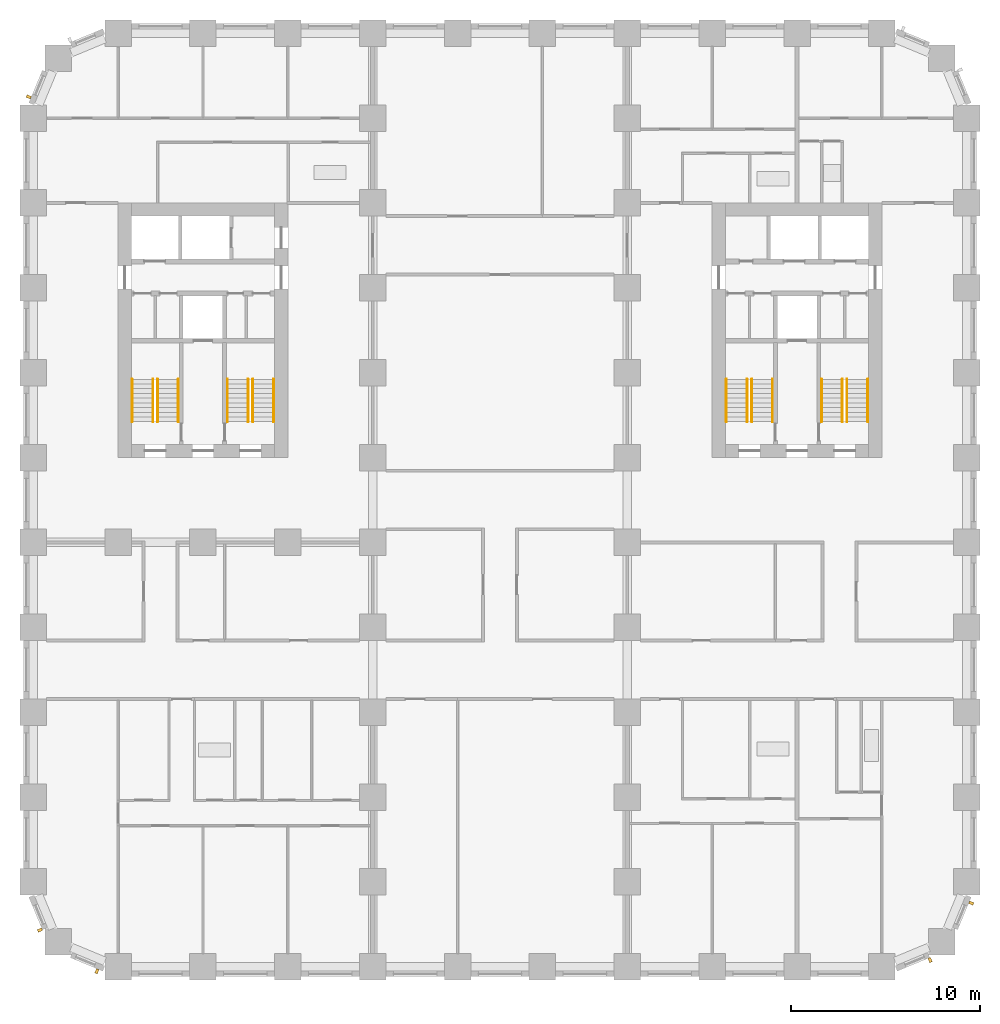
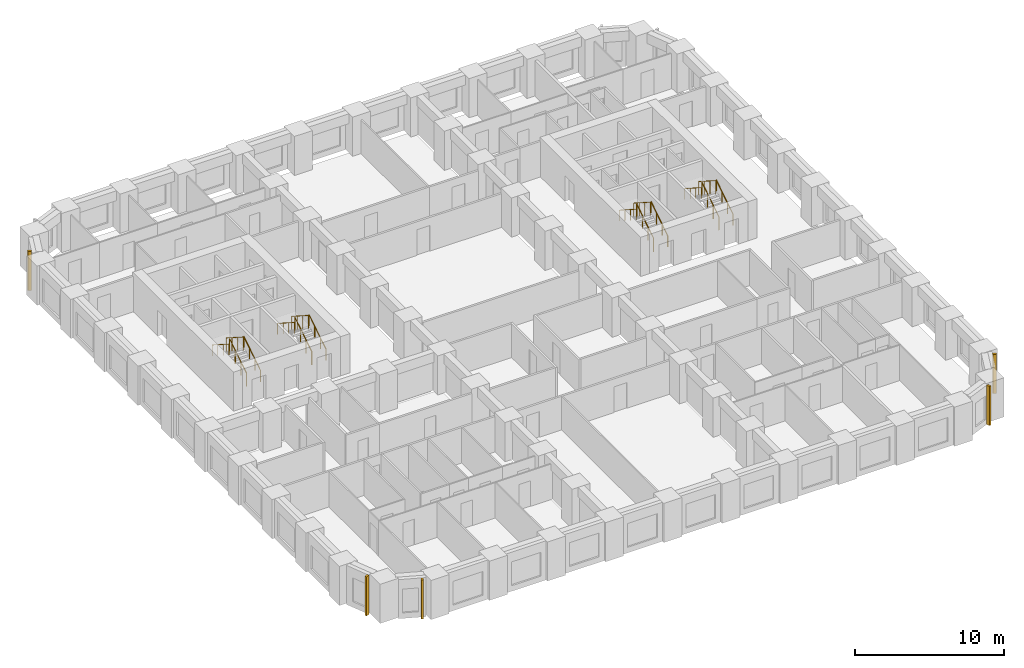
# One storey, part 10 of 12: 16 railings, 5 shading devices.
"""IFC4 building model written with IfcOpenShell, lengths in metres."""

from ifc_helpers import new_model, si_unit, direction, frame, origin, origin_2d, place, context, subcontext, project, spatial, rectangle, circle, extrude, material, type_object, element, save


model = new_model("IFC4")

# Units and contexts
model_context = context("Model", 3, precision=1e-05, world=origin(), true_north=direction((0.0, 1.0)))
body_context = subcontext(model_context, "Body", "Model", "MODEL_VIEW")
ifc_project = project(units=[si_unit("LENGTHUNIT", "METRE"), si_unit("AREAUNIT", "SQUARE_METRE"), si_unit("VOLUMEUNIT", "CUBIC_METRE"), si_unit("PLANEANGLEUNIT", "RADIAN"), si_unit("MASSUNIT", "GRAM", prefix="KILO")], contexts=[model_context])

# Site, building, storey
site_placement = place(None, origin())
site = spatial("IfcSite", under=ifc_project, at=site_placement, CompositionType="ELEMENT")
building_placement = place(site_placement, origin())
building = spatial("IfcBuilding", under=site, at=building_placement, Name="Girih Gate Residences", CompositionType="ELEMENT")
storey_placement = place(building_placement, frame((0.0, 0.0, 59.199951171875)))
storey = spatial("IfcBuildingStorey", under=building, at=storey_placement, Name="L15", CompositionType="ELEMENT", Elevation=59.199951171875)

# Shading devices
ifc_material_1 = material(Name="Precast concrete C50/60", Category="concrete")
shading_device_type = type_object("IfcShadingDeviceType", Name="Corner rib 150x250", PredefinedType="USERDEFINED", material=ifc_material_1)
for number, where, z_axis, x_axis, name in (
    (1, (0.35498046875, 1.9443359375, 0.0), (0.0, 0.0, 1.0), (0.382683432365, -0.923879532511, 0.0), "Corner rib SW0000_0045.0"),
    (2, (3.376220703125, -0.238037109375, 0.0), (0.0, 0.0, 1.0), (0.923879532511, -0.382683432365, 0.0), "Corner rib SW0013_0013.0"),
    (3, (47.5556640625, 0.35498046875, 0.0), (0.0, 0.0, 1.0), (0.923879532511, 0.382683432365, 0.0), "Corner rib SE0450_0000.0"),
    (4, (49.738037109375, 3.376220703125, 0.0), (0.0, 0.0, 1.0), (0.382683432365, 0.923879532511, 0.0), "Corner rib SE0482_0013.0"),
    (5, (-0.238037109375, 46.123779296875, 0.0), (0.0, 0.0, 1.0), (-0.382683432365, -0.923879532511, 0.0), "Corner rib NW0013_0482.0"),
):
    element("IfcShadingDevice", number, at=place(storey_placement, frame(where, z_axis=z_axis, x_axis=x_axis)), inside=storey, type_object=shading_device_type, Name=name, ObjectType="FIN", PredefinedType="USERDEFINED", context=body_context, shape_type="SweptSolid", body=[
        extrude(rectangle(XDim=0.14990234375, YDim=0.25, at=origin_2d()), origin(), (0.0, 0.0, 1.0), 3.199951171875),
    ])

# Railings
ifc_material_2 = material(Name="Stainless steel", Category="steel")
railing_type_1 = type_object("IfcRailingType", Name="Stair guard 1100", PredefinedType="GUARDRAIL", material=ifc_material_2)
railing_1_placement = place(storey_placement, frame((6.60009765625, 28.89990234375, 0.16015625)))
element("IfcRailing", 6, at=railing_1_placement, inside=storey, type_object=railing_type_1, Name="L15 ST-W1 stair guard 1", PredefinedType="GUARDRAIL", context=body_context, shape_type="SweptSolid", body=[
    extrude(circle(Radius=0.02392578125, at=origin_2d()), frame((0.0, 0.0, 1.076171875), z_axis=(0.0, 0.842281359387, 0.539038135598), x_axis=(-1.0, 0.0, 0.0)), (0.0, 0.0, 1.0), 2.67138671875),
    extrude(circle(Radius=0.02099609375, at=origin_2d()), origin(), (0.0, 0.0, 1.0), 1.052001953125),
    extrude(circle(Radius=0.02099609375, at=origin_2d()), frame((0.0, 0.75, 0.47998046875)), (0.0, 0.0, 1.0), 1.052001953125),
    extrude(circle(Radius=0.02099609375, at=origin_2d()), frame((0.0, 1.5, 0.9599609375)), (0.0, 0.0, 1.0), 1.052001953125),
    extrude(circle(Radius=0.02099609375, at=origin_2d()), frame((0.0, 2.25, 1.43994140625)), (0.0, 0.0, 1.0), 1.052001953125),
])
railing_2_placement = place(storey_placement, frame((6.35009765625, 31.14990234375, 1.760009765625)))
element("IfcRailing", 7, at=railing_2_placement, inside=storey, type_object=railing_type_1, Name="L15 ST-W1 stair guard 2", PredefinedType="GUARDRAIL", context=body_context, shape_type="SweptSolid", body=[
    extrude(circle(Radius=0.02392578125, at=origin_2d()), frame((0.0, 0.0, 1.076171875), z_axis=(0.0, -0.842281359387, 0.539038135598), x_axis=(1.0, 0.0, 0.0)), (0.0, 0.0, 1.0), 2.67138671875),
    extrude(circle(Radius=0.02099609375, at=origin_2d()), origin(), (0.0, 0.0, 1.0), 1.052001953125),
    extrude(circle(Radius=0.02099609375, at=origin_2d()), frame((0.0, -0.75, 0.47998046875)), (0.0, 0.0, 1.0), 1.052001953125),
    extrude(circle(Radius=0.02099609375, at=origin_2d()), frame((0.0, -1.5, 0.9599609375)), (0.0, 0.0, 1.0), 1.052001953125),
    extrude(circle(Radius=0.02099609375, at=origin_2d()), frame((0.0, -2.25, 1.43994140625)), (0.0, 0.0, 1.0), 1.052001953125),
])
railing_3_placement = place(storey_placement, frame((11.64990234375, 28.89990234375, 0.16015625)))
element("IfcRailing", 8, at=railing_3_placement, inside=storey, type_object=railing_type_1, Name="L15 ST-W2 stair guard 1", PredefinedType="GUARDRAIL", context=body_context, shape_type="SweptSolid", body=[
    extrude(circle(Radius=0.02392578125, at=origin_2d()), frame((0.0, 0.0, 1.076171875), z_axis=(0.0, 0.842281359387, 0.539038135598), x_axis=(-1.0, 0.0, 0.0)), (0.0, 0.0, 1.0), 2.67138671875),
    extrude(circle(Radius=0.02099609375, at=origin_2d()), origin(), (0.0, 0.0, 1.0), 1.052001953125),
    extrude(circle(Radius=0.02099609375, at=origin_2d()), frame((0.0, 0.75, 0.47998046875)), (0.0, 0.0, 1.0), 1.052001953125),
    extrude(circle(Radius=0.02099609375, at=origin_2d()), frame((0.0, 1.5, 0.9599609375)), (0.0, 0.0, 1.0), 1.052001953125),
    extrude(circle(Radius=0.02099609375, at=origin_2d()), frame((0.0, 2.25, 1.43994140625)), (0.0, 0.0, 1.0), 1.052001953125),
])
railing_4_placement = place(storey_placement, frame((11.39990234375, 31.14990234375, 1.760009765625)))
element("IfcRailing", 9, at=railing_4_placement, inside=storey, type_object=railing_type_1, Name="L15 ST-W2 stair guard 2", PredefinedType="GUARDRAIL", context=body_context, shape_type="SweptSolid", body=[
    extrude(circle(Radius=0.02392578125, at=origin_2d()), frame((0.0, 0.0, 1.076171875), z_axis=(0.0, -0.842281359387, 0.539038135598), x_axis=(1.0, 0.0, 0.0)), (0.0, 0.0, 1.0), 2.67138671875),
    extrude(circle(Radius=0.02099609375, at=origin_2d()), origin(), (0.0, 0.0, 1.0), 1.052001953125),
    extrude(circle(Radius=0.02099609375, at=origin_2d()), frame((0.0, -0.75, 0.47998046875)), (0.0, 0.0, 1.0), 1.052001953125),
    extrude(circle(Radius=0.02099609375, at=origin_2d()), frame((0.0, -1.5, 0.9599609375)), (0.0, 0.0, 1.0), 1.052001953125),
    extrude(circle(Radius=0.02099609375, at=origin_2d()), frame((0.0, -2.25, 1.43994140625)), (0.0, 0.0, 1.0), 1.052001953125),
])
railing_5_placement = place(storey_placement, frame((43.14990234375, 28.89990234375, 0.16015625)))
element("IfcRailing", 10, at=railing_5_placement, inside=storey, type_object=railing_type_1, Name="L15 ST-E1 stair guard 1", PredefinedType="GUARDRAIL", context=body_context, shape_type="SweptSolid", body=[
    extrude(circle(Radius=0.02392578125, at=origin_2d()), frame((0.0, 0.0, 1.076171875), z_axis=(0.0, 0.842281359387, 0.539038135598), x_axis=(-1.0, 0.0, 0.0)), (0.0, 0.0, 1.0), 2.67138671875),
    extrude(circle(Radius=0.02099609375, at=origin_2d()), origin(), (0.0, 0.0, 1.0), 1.052001953125),
    extrude(circle(Radius=0.02099609375, at=origin_2d()), frame((0.0, 0.75, 0.47998046875)), (0.0, 0.0, 1.0), 1.052001953125),
    extrude(circle(Radius=0.02099609375, at=origin_2d()), frame((0.0, 1.5, 0.9599609375)), (0.0, 0.0, 1.0), 1.052001953125),
    extrude(circle(Radius=0.02099609375, at=origin_2d()), frame((0.0, 2.25, 1.43994140625)), (0.0, 0.0, 1.0), 1.052001953125),
])
railing_6_placement = place(storey_placement, frame((42.89990234375, 31.14990234375, 1.760009765625)))
element("IfcRailing", 11, at=railing_6_placement, inside=storey, type_object=railing_type_1, Name="L15 ST-E1 stair guard 2", PredefinedType="GUARDRAIL", context=body_context, shape_type="SweptSolid", body=[
    extrude(circle(Radius=0.02392578125, at=origin_2d()), frame((0.0, 0.0, 1.076171875), z_axis=(0.0, -0.842281359387, 0.539038135598), x_axis=(1.0, 0.0, 0.0)), (0.0, 0.0, 1.0), 2.67138671875),
    extrude(circle(Radius=0.02099609375, at=origin_2d()), origin(), (0.0, 0.0, 1.0), 1.052001953125),
    extrude(circle(Radius=0.02099609375, at=origin_2d()), frame((0.0, -0.75, 0.47998046875)), (0.0, 0.0, 1.0), 1.052001953125),
    extrude(circle(Radius=0.02099609375, at=origin_2d()), frame((0.0, -1.5, 0.9599609375)), (0.0, 0.0, 1.0), 1.052001953125),
    extrude(circle(Radius=0.02099609375, at=origin_2d()), frame((0.0, -2.25, 1.43994140625)), (0.0, 0.0, 1.0), 1.052001953125),
])
railing_7_placement = place(storey_placement, frame((38.10009765625, 28.89990234375, 0.16015625)))
element("IfcRailing", 12, at=railing_7_placement, inside=storey, type_object=railing_type_1, Name="L15 ST-E2 stair guard 1", PredefinedType="GUARDRAIL", context=body_context, shape_type="SweptSolid", body=[
    extrude(circle(Radius=0.02392578125, at=origin_2d()), frame((0.0, 0.0, 1.076171875), z_axis=(0.0, 0.842281359387, 0.539038135598), x_axis=(-1.0, 0.0, 0.0)), (0.0, 0.0, 1.0), 2.67138671875),
    extrude(circle(Radius=0.02099609375, at=origin_2d()), origin(), (0.0, 0.0, 1.0), 1.052001953125),
    extrude(circle(Radius=0.02099609375, at=origin_2d()), frame((0.0, 0.75, 0.47998046875)), (0.0, 0.0, 1.0), 1.052001953125),
    extrude(circle(Radius=0.02099609375, at=origin_2d()), frame((0.0, 1.5, 0.9599609375)), (0.0, 0.0, 1.0), 1.052001953125),
    extrude(circle(Radius=0.02099609375, at=origin_2d()), frame((0.0, 2.25, 1.43994140625)), (0.0, 0.0, 1.0), 1.052001953125),
])
railing_8_placement = place(storey_placement, frame((37.85009765625, 31.14990234375, 1.760009765625)))
element("IfcRailing", 13, at=railing_8_placement, inside=storey, type_object=railing_type_1, Name="L15 ST-E2 stair guard 2", PredefinedType="GUARDRAIL", context=body_context, shape_type="SweptSolid", body=[
    extrude(circle(Radius=0.02392578125, at=origin_2d()), frame((0.0, 0.0, 1.076171875), z_axis=(0.0, -0.842281359387, 0.539038135598), x_axis=(1.0, 0.0, 0.0)), (0.0, 0.0, 1.0), 2.67138671875),
    extrude(circle(Radius=0.02099609375, at=origin_2d()), origin(), (0.0, 0.0, 1.0), 1.052001953125),
    extrude(circle(Radius=0.02099609375, at=origin_2d()), frame((0.0, -0.75, 0.47998046875)), (0.0, 0.0, 1.0), 1.052001953125),
    extrude(circle(Radius=0.02099609375, at=origin_2d()), frame((0.0, -1.5, 0.9599609375)), (0.0, 0.0, 1.0), 1.052001953125),
    extrude(circle(Radius=0.02099609375, at=origin_2d()), frame((0.0, -2.25, 1.43994140625)), (0.0, 0.0, 1.0), 1.052001953125),
])
railing_type_2 = type_object("IfcRailingType", Name="Stair handrail 900", PredefinedType="HANDRAIL", material=ifc_material_2)
railing_9_placement = place(storey_placement, frame((7.699951171875, 28.89990234375, 0.16015625)))
element("IfcRailing", 14, at=railing_9_placement, inside=storey, type_object=railing_type_2, Name="L15 ST-W1 stair handrail 1", PredefinedType="HANDRAIL", context=body_context, shape_type="SweptSolid", body=[
    extrude(circle(Radius=0.02392578125, at=origin_2d()), frame((0.0, 0.0, 0.8857421875), z_axis=(0.0, 0.842281359387, 0.539038135598), x_axis=(-1.0, 0.0, 0.0)), (0.0, 0.0, 1.0), 2.67138671875),
    extrude(circle(Radius=0.02099609375, at=origin_2d()), origin(), (0.0, 0.0, 1.0), 0.86181640625),
    extrude(circle(Radius=0.02099609375, at=origin_2d()), frame((0.0, 0.75, 0.47998046875)), (0.0, 0.0, 1.0), 0.86181640625),
    extrude(circle(Radius=0.02099609375, at=origin_2d()), frame((0.0, 1.5, 0.9599609375)), (0.0, 0.0, 1.0), 0.86181640625),
    extrude(circle(Radius=0.02099609375, at=origin_2d()), frame((0.0, 2.25, 1.43994140625)), (0.0, 0.0, 1.0), 0.86181640625),
])
railing_10_placement = place(storey_placement, frame((5.25, 31.14990234375, 1.760009765625)))
element("IfcRailing", 15, at=railing_10_placement, inside=storey, type_object=railing_type_2, Name="L15 ST-W1 stair handrail 2", PredefinedType="HANDRAIL", context=body_context, shape_type="SweptSolid", body=[
    extrude(circle(Radius=0.02392578125, at=origin_2d()), frame((0.0, 0.0, 0.8857421875), z_axis=(0.0, -0.842281359387, 0.539038135598), x_axis=(1.0, 0.0, 0.0)), (0.0, 0.0, 1.0), 2.67138671875),
    extrude(circle(Radius=0.02099609375, at=origin_2d()), origin(), (0.0, 0.0, 1.0), 0.86181640625),
    extrude(circle(Radius=0.02099609375, at=origin_2d()), frame((0.0, -0.75, 0.47998046875)), (0.0, 0.0, 1.0), 0.86181640625),
    extrude(circle(Radius=0.02099609375, at=origin_2d()), frame((0.0, -1.5, 0.9599609375)), (0.0, 0.0, 1.0), 0.86181640625),
    extrude(circle(Radius=0.02099609375, at=origin_2d()), frame((0.0, -2.25, 1.43994140625)), (0.0, 0.0, 1.0), 0.86181640625),
])
railing_11_placement = place(storey_placement, frame((12.75, 28.89990234375, 0.16015625)))
element("IfcRailing", 16, at=railing_11_placement, inside=storey, type_object=railing_type_2, Name="L15 ST-W2 stair handrail 1", PredefinedType="HANDRAIL", context=body_context, shape_type="SweptSolid", body=[
    extrude(circle(Radius=0.02392578125, at=origin_2d()), frame((0.0, 0.0, 0.8857421875), z_axis=(0.0, 0.842281359387, 0.539038135598), x_axis=(-1.0, 0.0, 0.0)), (0.0, 0.0, 1.0), 2.67138671875),
    extrude(circle(Radius=0.02099609375, at=origin_2d()), origin(), (0.0, 0.0, 1.0), 0.86181640625),
    extrude(circle(Radius=0.02099609375, at=origin_2d()), frame((0.0, 0.75, 0.47998046875)), (0.0, 0.0, 1.0), 0.86181640625),
    extrude(circle(Radius=0.02099609375, at=origin_2d()), frame((0.0, 1.5, 0.9599609375)), (0.0, 0.0, 1.0), 0.86181640625),
    extrude(circle(Radius=0.02099609375, at=origin_2d()), frame((0.0, 2.25, 1.43994140625)), (0.0, 0.0, 1.0), 0.86181640625),
])
railing_12_placement = place(storey_placement, frame((10.300048828125, 31.14990234375, 1.760009765625)))
element("IfcRailing", 17, at=railing_12_placement, inside=storey, type_object=railing_type_2, Name="L15 ST-W2 stair handrail 2", PredefinedType="HANDRAIL", context=body_context, shape_type="SweptSolid", body=[
    extrude(circle(Radius=0.02392578125, at=origin_2d()), frame((0.0, 0.0, 0.8857421875), z_axis=(0.0, -0.842281359387, 0.539038135598), x_axis=(1.0, 0.0, 0.0)), (0.0, 0.0, 1.0), 2.67138671875),
    extrude(circle(Radius=0.02099609375, at=origin_2d()), origin(), (0.0, 0.0, 1.0), 0.86181640625),
    extrude(circle(Radius=0.02099609375, at=origin_2d()), frame((0.0, -0.75, 0.47998046875)), (0.0, 0.0, 1.0), 0.86181640625),
    extrude(circle(Radius=0.02099609375, at=origin_2d()), frame((0.0, -1.5, 0.9599609375)), (0.0, 0.0, 1.0), 0.86181640625),
    extrude(circle(Radius=0.02099609375, at=origin_2d()), frame((0.0, -2.25, 1.43994140625)), (0.0, 0.0, 1.0), 0.86181640625),
])
railing_13_placement = place(storey_placement, frame((44.25, 28.89990234375, 0.16015625)))
element("IfcRailing", 18, at=railing_13_placement, inside=storey, type_object=railing_type_2, Name="L15 ST-E1 stair handrail 1", PredefinedType="HANDRAIL", context=body_context, shape_type="SweptSolid", body=[
    extrude(circle(Radius=0.02392578125, at=origin_2d()), frame((0.0, 0.0, 0.8857421875), z_axis=(0.0, 0.842281359387, 0.539038135598), x_axis=(-1.0, 0.0, 0.0)), (0.0, 0.0, 1.0), 2.67138671875),
    extrude(circle(Radius=0.02099609375, at=origin_2d()), origin(), (0.0, 0.0, 1.0), 0.86181640625),
    extrude(circle(Radius=0.02099609375, at=origin_2d()), frame((0.0, 0.75, 0.47998046875)), (0.0, 0.0, 1.0), 0.86181640625),
    extrude(circle(Radius=0.02099609375, at=origin_2d()), frame((0.0, 1.5, 0.9599609375)), (0.0, 0.0, 1.0), 0.86181640625),
    extrude(circle(Radius=0.02099609375, at=origin_2d()), frame((0.0, 2.25, 1.43994140625)), (0.0, 0.0, 1.0), 0.86181640625),
])
railing_14_placement = place(storey_placement, frame((41.800048828125, 31.14990234375, 1.760009765625)))
element("IfcRailing", 19, at=railing_14_placement, inside=storey, type_object=railing_type_2, Name="L15 ST-E1 stair handrail 2", PredefinedType="HANDRAIL", context=body_context, shape_type="SweptSolid", body=[
    extrude(circle(Radius=0.02392578125, at=origin_2d()), frame((0.0, 0.0, 0.8857421875), z_axis=(0.0, -0.842281359387, 0.539038135598), x_axis=(1.0, 0.0, 0.0)), (0.0, 0.0, 1.0), 2.67138671875),
    extrude(circle(Radius=0.02099609375, at=origin_2d()), origin(), (0.0, 0.0, 1.0), 0.86181640625),
    extrude(circle(Radius=0.02099609375, at=origin_2d()), frame((0.0, -0.75, 0.47998046875)), (0.0, 0.0, 1.0), 0.86181640625),
    extrude(circle(Radius=0.02099609375, at=origin_2d()), frame((0.0, -1.5, 0.9599609375)), (0.0, 0.0, 1.0), 0.86181640625),
    extrude(circle(Radius=0.02099609375, at=origin_2d()), frame((0.0, -2.25, 1.43994140625)), (0.0, 0.0, 1.0), 0.86181640625),
])
railing_15_placement = place(storey_placement, frame((39.199951171875, 28.89990234375, 0.16015625)))
element("IfcRailing", 20, at=railing_15_placement, inside=storey, type_object=railing_type_2, Name="L15 ST-E2 stair handrail 1", PredefinedType="HANDRAIL", context=body_context, shape_type="SweptSolid", body=[
    extrude(circle(Radius=0.02392578125, at=origin_2d()), frame((0.0, 0.0, 0.8857421875), z_axis=(0.0, 0.842281359387, 0.539038135598), x_axis=(-1.0, 0.0, 0.0)), (0.0, 0.0, 1.0), 2.67138671875),
    extrude(circle(Radius=0.02099609375, at=origin_2d()), origin(), (0.0, 0.0, 1.0), 0.86181640625),
    extrude(circle(Radius=0.02099609375, at=origin_2d()), frame((0.0, 0.75, 0.47998046875)), (0.0, 0.0, 1.0), 0.86181640625),
    extrude(circle(Radius=0.02099609375, at=origin_2d()), frame((0.0, 1.5, 0.9599609375)), (0.0, 0.0, 1.0), 0.86181640625),
    extrude(circle(Radius=0.02099609375, at=origin_2d()), frame((0.0, 2.25, 1.43994140625)), (0.0, 0.0, 1.0), 0.86181640625),
])
railing_16_placement = place(storey_placement, frame((36.75, 31.14990234375, 1.760009765625)))
element("IfcRailing", 21, at=railing_16_placement, inside=storey, type_object=railing_type_2, Name="L15 ST-E2 stair handrail 2", PredefinedType="HANDRAIL", context=body_context, shape_type="SweptSolid", body=[
    extrude(circle(Radius=0.02392578125, at=origin_2d()), frame((0.0, 0.0, 0.8857421875), z_axis=(0.0, -0.842281359387, 0.539038135598), x_axis=(1.0, 0.0, 0.0)), (0.0, 0.0, 1.0), 2.67138671875),
    extrude(circle(Radius=0.02099609375, at=origin_2d()), origin(), (0.0, 0.0, 1.0), 0.86181640625),
    extrude(circle(Radius=0.02099609375, at=origin_2d()), frame((0.0, -0.75, 0.47998046875)), (0.0, 0.0, 1.0), 0.86181640625),
    extrude(circle(Radius=0.02099609375, at=origin_2d()), frame((0.0, -1.5, 0.9599609375)), (0.0, 0.0, 1.0), 0.86181640625),
    extrude(circle(Radius=0.02099609375, at=origin_2d()), frame((0.0, -2.25, 1.43994140625)), (0.0, 0.0, 1.0), 0.86181640625),
])

save(model, "model.ifc")
